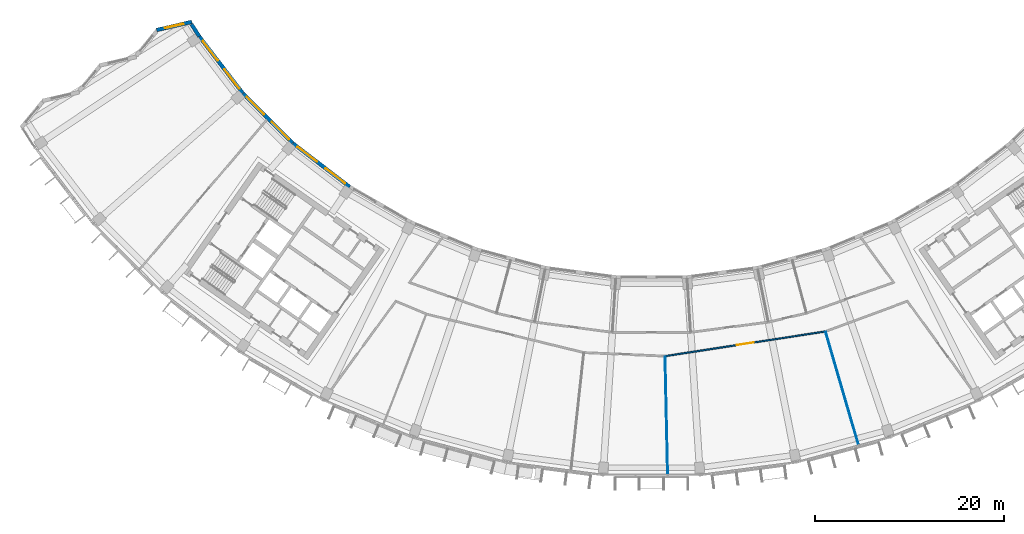
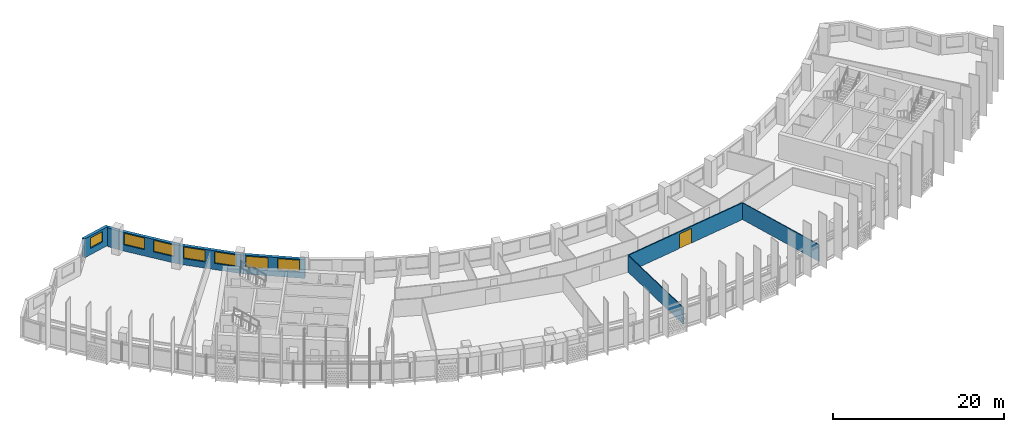
# One storey, part 5 of 28: 8 walls, 7 windows, 1 door, 8 openings.
"""IFC4 building model written with IfcOpenShell, lengths in metres."""

from ifc_helpers import new_model, si_unit, direction, frame, frame_2d, origin, place, context, subcontext, project, spatial, rectangle, extrude, material, layer, layer_set, type_object, element, fill, save


model = new_model("IFC4")

# Units and contexts
model_context = context("Model", 3, precision=1e-05, world=origin(), true_north=direction((0.0, 1.0)))
body_context = subcontext(model_context, "Body", "Model", "MODEL_VIEW")
ifc_project = project(units=[si_unit("LENGTHUNIT", "METRE"), si_unit("AREAUNIT", "SQUARE_METRE"), si_unit("VOLUMEUNIT", "CUBIC_METRE"), si_unit("PLANEANGLEUNIT", "RADIAN"), si_unit("MASSUNIT", "GRAM", prefix="KILO")], contexts=[model_context])

# Site, building, storey
site_placement = place(None, origin())
site = spatial("IfcSite", under=ifc_project, at=site_placement, CompositionType="ELEMENT")
building_placement = place(site_placement, origin())
building = spatial("IfcBuilding", under=site, at=building_placement, Name="Qamariyya Broadcast Tower", CompositionType="ELEMENT")
storey_placement = place(building_placement, frame((0.0, 0.0, 226.5)))
storey = spatial("IfcBuildingStorey", under=building, at=storey_placement, Name="L54", CompositionType="ELEMENT", Elevation=226.5)

# Wall, opening, door
ifc_material_1 = material(Name="Gypsum board partition")
ifc_layer_1 = layer(ifc_material_1, 0.14990234375)
ifc_layer_set_1 = layer_set([ifc_layer_1], Name="Corridor partition 150 EI 60")
wall_type_1 = type_object("IfcWallType", Name="Corridor partition 150 EI 60", PredefinedType="PARTITIONING", material=ifc_layer_set_1)
wall_1_placement = place(storey_placement, frame((18.41455078125, -63.170654296875, 0.0), z_axis=(0.0, 0.0, 1.0), x_axis=(-0.988357398133, -0.152150102058, 0.0)))
wall_1 = element("IfcWall", 1, at=wall_1_placement, inside=storey, type_object=wall_type_1, Name="Partition L54-016", PredefinedType="PARTITIONING", context=body_context, shape_type="SweptSolid", body=[
    extrude(rectangle(XDim=17.17724609375, YDim=0.14990234375, at=frame_2d((8.588623046875, 0.0))), origin(), (0.0, 0.0, 1.0), 2.39990234375),
])
opening_1_placement = place(wall_1_placement, frame((7.688720703125, 0.0, 0.0)))
opening_1 = element("IfcOpeningElement", 2, at=opening_1_placement, cuts=wall_1, Name="Opening L54-D04", PredefinedType="OPENING", context=body_context, shape_type="SweptSolid", body=[
    extrude(rectangle(XDim=1.800048828125, YDim=2.10009765625, at=frame_2d((0.89990234375, 1.050048828125))), frame((0.0, 0.0849609375, 0.0), z_axis=(0.0, -1.0, 0.0), x_axis=(1.0, 0.0, 0.0)), (0.0, 0.0, 1.0), 0.169921875),
])
ifc_material_2 = material(Name="Timber fire door leaf", Category="wood")
door_type = type_object("IfcDoorType", Name="Double fire door 1800 x 2100 FD60", OperationType="NOTDEFINED", PredefinedType="DOOR", material=ifc_material_2)
door_placement = place(opening_1_placement, origin())
door = element("IfcDoor", 3, at=door_placement, inside=storey, type_object=door_type, Name="Door L54-D04", OperationType="DOUBLE_DOOR_SINGLE_SWING", OverallHeight=2.10009765625, OverallWidth=1.800048828125, PredefinedType="DOOR", context=body_context, shape_type="SweptSolid", body=[
    extrude(rectangle(XDim=1.800048828125, YDim=2.10009765625, at=frame_2d((0.89990234375, 1.050048828125))), frame((0.0, 0.02490234375, 0.0), z_axis=(0.0, -1.0, 0.0), x_axis=(1.0, 0.0, 0.0)), (0.0, 0.0, 1.0), 0.050048828125),
])
fill(opening_1, door)

# Walls
ifc_layer_2 = layer(ifc_material_1, 0.10009765625)
ifc_layer_set_2 = layer_set([ifc_layer_2], Name="Partition 100")
wall_type_2 = type_object("IfcWallType", Name="Partition 100", PredefinedType="PARTITIONING", material=ifc_layer_set_2)
wall_2_placement = place(storey_placement, frame((1.710205078125, -78.28173828125, 0.0), z_axis=(0.0, 0.0, 1.0), x_axis=(-0.02182963041, 0.999761705226, 0.0)))
element("IfcWall", 4, at=wall_2_placement, inside=storey, type_object=wall_type_2, Name="Partition L54-017", PredefinedType="PARTITIONING", context=body_context, shape_type="SweptSolid", body=[
    extrude(rectangle(XDim=12.42529296875, YDim=0.10009765625, at=frame_2d((6.212646484375, 0.0))), origin(), (0.0, 0.0, 1.0), 2.39990234375),
])
wall_3_placement = place(storey_placement, frame((21.912841796875, -75.171630859375, 0.0), z_axis=(0.0, 0.0, 1.0), x_axis=(-0.27985286912, 0.96004290094, 0.0)))
element("IfcWall", 5, at=wall_3_placement, inside=storey, type_object=wall_type_2, Name="Partition L54-026", PredefinedType="PARTITIONING", context=body_context, shape_type="SweptSolid", body=[
    extrude(rectangle(XDim=12.425537109375, YDim=0.10009765625, at=frame_2d((6.212890625, 0.0))), origin(), (0.0, 0.0, 1.0), 2.39990234375),
])

# Wall, opening, window
ifc_material_3 = material(Name="Terracotta", Category="masonry")
ifc_layer_3 = layer(ifc_material_3, 0.39990234375)
ifc_layer_set_3 = layer_set([ifc_layer_3], Name="Terracotta clad wall 400")
wall_type_3 = type_object("IfcWallType", Name="Terracotta clad wall 400", PredefinedType="SOLIDWALL", material=ifc_layer_set_3)
wall_4_placement = place(storey_placement, frame((-48.657470703125, -30.398681640625, 0.0), z_axis=(0.0, 0.0, 1.0), x_axis=(-0.97414152956, -0.225938665098, 0.0)))
wall_4 = element("IfcWall", 6, at=wall_4_placement, inside=storey, type_object=wall_type_3, Name="e-wl-L54-capW0", PredefinedType="SOLIDWALL", context=body_context, shape_type="SweptSolid", body=[
    extrude(rectangle(XDim=3.832763671875, YDim=0.39990234375, at=frame_2d((1.91650390625, 0.0))), origin(), (0.0, 0.0, 1.0), 2.699951171875),
])
opening_2_placement = place(wall_4_placement, frame((0.916259765625, 0.0, 0.89990234375)))
opening_2 = element("IfcOpeningElement", 7, at=opening_2_placement, cuts=wall_4, Name="Opening W4", PredefinedType="OPENING", context=body_context, shape_type="SweptSolid", body=[
    extrude(rectangle(XDim=2.0, YDim=1.5, at=frame_2d((1.0, 0.75))), frame((0.0, 0.2099609375, 0.0), z_axis=(0.0, -1.0, 0.0), x_axis=(1.0, 0.0, 0.0)), (0.0, 0.0, 1.0), 0.419921875),
])
ifc_material_4 = material(Name="Clear low-e double glazed unit in aluminium frame", Category="aluminium")
window_type_1 = type_object("IfcWindowType", Name="Horn bay window 2000 x 1500", PartitioningType="SINGLE_PANEL", PredefinedType="WINDOW", material=ifc_material_4)
window_1_placement = place(opening_2_placement, origin())
window_1 = element("IfcWindow", 8, at=window_1_placement, inside=storey, type_object=window_type_1, Name="e-w-L54-capW0", OverallHeight=1.5, OverallWidth=2.0, PartitioningType="SINGLE_PANEL", PredefinedType="WINDOW", context=body_context, shape_type="SweptSolid", body=[
    extrude(rectangle(XDim=2.0, YDim=1.5, at=frame_2d((1.0, 0.75))), frame((0.0, 0.030029296875, 0.0), z_axis=(0.0, -1.0, 0.0), x_axis=(1.0, 0.0, 0.0)), (0.0, 0.0, 1.0), 0.06005859375),
])
fill(opening_2, window_1)

# Wall
wall_5_placement = place(storey_placement, frame((-47.865478515625, -31.950927734375, 0.0), z_axis=(0.0, 0.0, 1.0), x_axis=(-0.541252407108, 0.840860173751, 0.0)))
element("IfcWall", 9, at=wall_5_placement, inside=storey, type_object=wall_type_3, Name="e-wl-L54-in00", PredefinedType="SOLIDWALL", context=body_context, shape_type="SweptSolid", body=[
    extrude(rectangle(XDim=1.5458984375, YDim=0.39990234375, at=frame_2d((0.77294921875, 0.0))), origin(), (0.0, 0.0, 1.0), 2.699951171875),
])

# Wall, openings, windows
wall_6_placement = place(storey_placement, frame((-43.25341796875, -37.965576171875, 0.0), z_axis=(0.0, 0.0, 1.0), x_axis=(-0.608769649721, 0.793347032249, 0.0)))
wall_6 = element("IfcWall", 10, at=wall_6_placement, inside=storey, type_object=wall_type_3, Name="e-wl-L54-in10", PredefinedType="SOLIDWALL", context=body_context, shape_type="SweptSolid", body=[
    extrude(rectangle(XDim=7.563232421875, YDim=0.39990234375, at=frame_2d((3.78173828125, 0.0))), origin(), (0.0, 0.0, 1.0), 2.699951171875),
])
opening_3_placement = place(wall_6_placement, frame((4.364501953125, 0.0, 0.89990234375)))
opening_3 = element("IfcOpeningElement", 11, at=opening_3_placement, cuts=wall_6, Name="Opening W1", PredefinedType="OPENING", context=body_context, shape_type="SweptSolid", body=[
    extrude(rectangle(XDim=2.60009765625, YDim=1.64990234375, at=frame_2d((1.300048828125, 0.824951171875))), frame((0.0, 0.2099609375, 0.0), z_axis=(0.0, -1.0, 0.0), x_axis=(1.0, 0.0, 0.0)), (0.0, 0.0, 1.0), 0.419921875),
])
opening_4_placement = place(wall_6_placement, frame((0.613525390625, 0.0, 0.89990234375)))
opening_4 = element("IfcOpeningElement", 12, at=opening_4_placement, cuts=wall_6, Name="Opening W1", PredefinedType="OPENING", context=body_context, shape_type="SweptSolid", body=[
    extrude(rectangle(XDim=2.60009765625, YDim=1.64990234375, at=frame_2d((1.300048828125, 0.824951171875))), frame((0.0, 0.2099609375, 0.0), z_axis=(0.0, -1.0, 0.0), x_axis=(1.0, 0.0, 0.0)), (0.0, 0.0, 1.0), 0.419921875),
])
window_type_2 = type_object("IfcWindowType", Name="Ribbon window 2600 x 1650", PartitioningType="SINGLE_PANEL", PredefinedType="WINDOW", material=ifc_material_4)
window_2_placement = place(opening_3_placement, origin())
window_2 = element("IfcWindow", 13, at=window_2_placement, inside=storey, type_object=window_type_2, Name="e-w-L54-in01-0", OverallHeight=1.64990234375, OverallWidth=2.60009765625, PartitioningType="SINGLE_PANEL", PredefinedType="WINDOW", context=body_context, shape_type="SweptSolid", body=[
    extrude(rectangle(XDim=2.60009765625, YDim=1.64990234375, at=frame_2d((1.300048828125, 0.824951171875))), frame((0.0, 0.030029296875, 0.0), z_axis=(0.0, -1.0, 0.0), x_axis=(1.0, 0.0, 0.0)), (0.0, 0.0, 1.0), 0.06005859375),
])
fill(opening_3, window_2)
window_3_placement = place(opening_4_placement, origin())
window_3 = element("IfcWindow", 14, at=window_3_placement, inside=storey, type_object=window_type_2, Name="e-w-L54-in01-1", OverallHeight=1.64990234375, OverallWidth=2.60009765625, PartitioningType="SINGLE_PANEL", PredefinedType="WINDOW", context=body_context, shape_type="SweptSolid", body=[
    extrude(rectangle(XDim=2.60009765625, YDim=1.64990234375, at=frame_2d((1.300048828125, 0.824951171875))), frame((0.0, 0.030029296875, 0.0), z_axis=(0.0, -1.0, 0.0), x_axis=(1.0, 0.0, 0.0)), (0.0, 0.0, 1.0), 0.06005859375),
])
fill(opening_4, window_3)

wall_7_placement = place(storey_placement, frame((-37.9814453125, -43.23291015625, 0.0), z_axis=(0.0, 0.0, 1.0), x_axis=(-0.707106781187, 0.707106781187, 0.0)))
wall_7 = element("IfcWall", 15, at=wall_7_placement, inside=storey, type_object=wall_type_3, Name="e-wl-L54-in20", PredefinedType="SOLIDWALL", context=body_context, shape_type="SweptSolid", body=[
    extrude(rectangle(XDim=7.4267578125, YDim=0.39990234375, at=frame_2d((3.71337890625, 0.0))), origin(), (0.0, 0.0, 1.0), 2.699951171875),
])
opening_5_placement = place(wall_7_placement, frame((4.28857421875, 0.0, 0.89990234375)))
opening_5 = element("IfcOpeningElement", 16, at=opening_5_placement, cuts=wall_7, Name="Opening W1", PredefinedType="OPENING", context=body_context, shape_type="SweptSolid", body=[
    extrude(rectangle(XDim=2.60009765625, YDim=1.64990234375, at=frame_2d((1.300048828125, 0.824951171875))), frame((0.0, 0.2099609375, 0.0), z_axis=(0.0, -1.0, 0.0), x_axis=(1.0, 0.0, 0.0)), (0.0, 0.0, 1.0), 0.419921875),
])
opening_6_placement = place(wall_7_placement, frame((0.537841796875, 0.0, 0.89990234375)))
opening_6 = element("IfcOpeningElement", 17, at=opening_6_placement, cuts=wall_7, Name="Opening W1", PredefinedType="OPENING", context=body_context, shape_type="SweptSolid", body=[
    extrude(rectangle(XDim=2.60009765625, YDim=1.64990234375, at=frame_2d((1.300048828125, 0.824951171875))), frame((0.0, 0.2099609375, 0.0), z_axis=(0.0, -1.0, 0.0), x_axis=(1.0, 0.0, 0.0)), (0.0, 0.0, 1.0), 0.419921875),
])
window_4_placement = place(opening_5_placement, origin())
window_4 = element("IfcWindow", 18, at=window_4_placement, inside=storey, type_object=window_type_2, Name="e-w-L54-in02-0", OverallHeight=1.64990234375, OverallWidth=2.60009765625, PartitioningType="SINGLE_PANEL", PredefinedType="WINDOW", context=body_context, shape_type="SweptSolid", body=[
    extrude(rectangle(XDim=2.60009765625, YDim=1.64990234375, at=frame_2d((1.300048828125, 0.824951171875))), frame((0.0, 0.030029296875, 0.0), z_axis=(0.0, -1.0, 0.0), x_axis=(1.0, 0.0, 0.0)), (0.0, 0.0, 1.0), 0.06005859375),
])
fill(opening_5, window_4)
window_5_placement = place(opening_6_placement, origin())
window_5 = element("IfcWindow", 19, at=window_5_placement, inside=storey, type_object=window_type_2, Name="e-w-L54-in02-1", OverallHeight=1.64990234375, OverallWidth=2.60009765625, PartitioningType="SINGLE_PANEL", PredefinedType="WINDOW", context=body_context, shape_type="SweptSolid", body=[
    extrude(rectangle(XDim=2.60009765625, YDim=1.64990234375, at=frame_2d((1.300048828125, 0.824951171875))), frame((0.0, 0.030029296875, 0.0), z_axis=(0.0, -1.0, 0.0), x_axis=(1.0, 0.0, 0.0)), (0.0, 0.0, 1.0), 0.06005859375),
])
fill(opening_6, window_5)

wall_8_placement = place(storey_placement, frame((-31.953369140625, -47.86669921875, 0.0), z_axis=(0.0, 0.0, 1.0), x_axis=(-0.793356365089, 0.608757486995, 0.0)))
wall_8 = element("IfcWall", 20, at=wall_8_placement, inside=storey, type_object=wall_type_3, Name="e-wl-L54-in30", PredefinedType="SOLIDWALL", context=body_context, shape_type="SweptSolid", body=[
    extrude(rectangle(XDim=7.578125, YDim=0.39990234375, at=frame_2d((3.7890625, 0.0))), origin(), (0.0, 0.0, 1.0), 2.699951171875),
])
opening_7_placement = place(wall_8_placement, frame((4.364501953125, 0.0, 0.89990234375)))
opening_7 = element("IfcOpeningElement", 21, at=opening_7_placement, cuts=wall_8, Name="Opening W1", PredefinedType="OPENING", context=body_context, shape_type="SweptSolid", body=[
    extrude(rectangle(XDim=2.60009765625, YDim=1.64990234375, at=frame_2d((1.300048828125, 0.824951171875))), frame((0.0, 0.2099609375, 0.0), z_axis=(0.0, -1.0, 0.0), x_axis=(1.0, 0.0, 0.0)), (0.0, 0.0, 1.0), 0.419921875),
])
opening_8_placement = place(wall_8_placement, frame((0.613525390625, 0.0, 0.89990234375)))
opening_8 = element("IfcOpeningElement", 22, at=opening_8_placement, cuts=wall_8, Name="Opening W1", PredefinedType="OPENING", context=body_context, shape_type="SweptSolid", body=[
    extrude(rectangle(XDim=2.60009765625, YDim=1.64990234375, at=frame_2d((1.300048828125, 0.824951171875))), frame((0.0, 0.2099609375, 0.0), z_axis=(0.0, -1.0, 0.0), x_axis=(1.0, 0.0, 0.0)), (0.0, 0.0, 1.0), 0.419921875),
])
window_6_placement = place(opening_7_placement, origin())
window_6 = element("IfcWindow", 23, at=window_6_placement, inside=storey, type_object=window_type_2, Name="e-w-L54-in03-0", OverallHeight=1.64990234375, OverallWidth=2.60009765625, PartitioningType="SINGLE_PANEL", PredefinedType="WINDOW", context=body_context, shape_type="SweptSolid", body=[
    extrude(rectangle(XDim=2.60009765625, YDim=1.64990234375, at=frame_2d((1.300048828125, 0.824951171875))), frame((0.0, 0.030029296875, 0.0), z_axis=(0.0, -1.0, 0.0), x_axis=(1.0, 0.0, 0.0)), (0.0, 0.0, 1.0), 0.06005859375),
])
fill(opening_7, window_6)
window_7_placement = place(opening_8_placement, origin())
window_7 = element("IfcWindow", 24, at=window_7_placement, inside=storey, type_object=window_type_2, Name="e-w-L54-in03-1", OverallHeight=1.64990234375, OverallWidth=2.60009765625, PartitioningType="SINGLE_PANEL", PredefinedType="WINDOW", context=body_context, shape_type="SweptSolid", body=[
    extrude(rectangle(XDim=2.60009765625, YDim=1.64990234375, at=frame_2d((1.300048828125, 0.824951171875))), frame((0.0, 0.030029296875, 0.0), z_axis=(0.0, -1.0, 0.0), x_axis=(1.0, 0.0, 0.0)), (0.0, 0.0, 1.0), 0.06005859375),
])
fill(opening_8, window_7)

save(model, "model.ifc")
